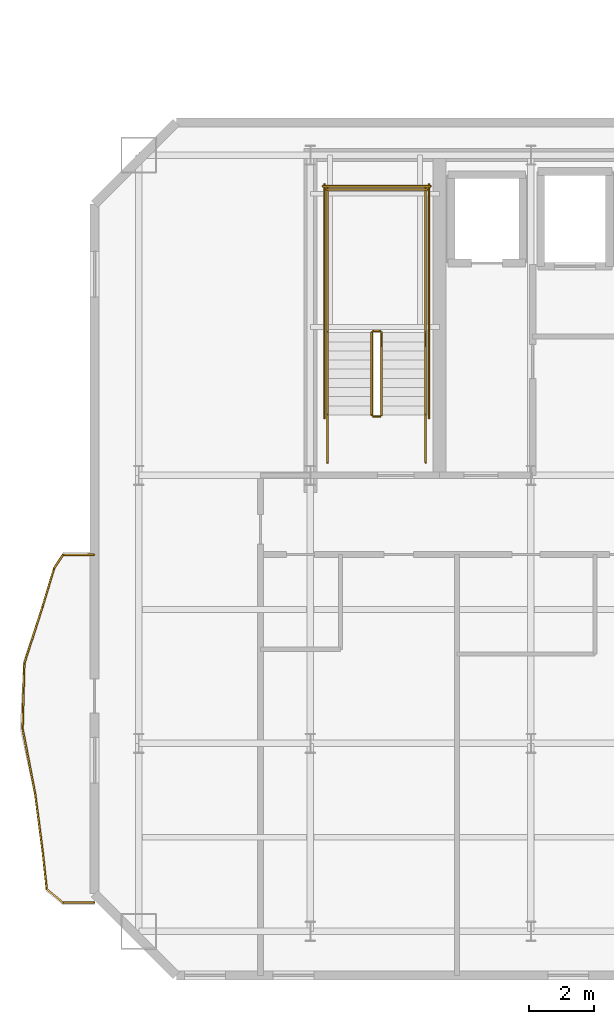
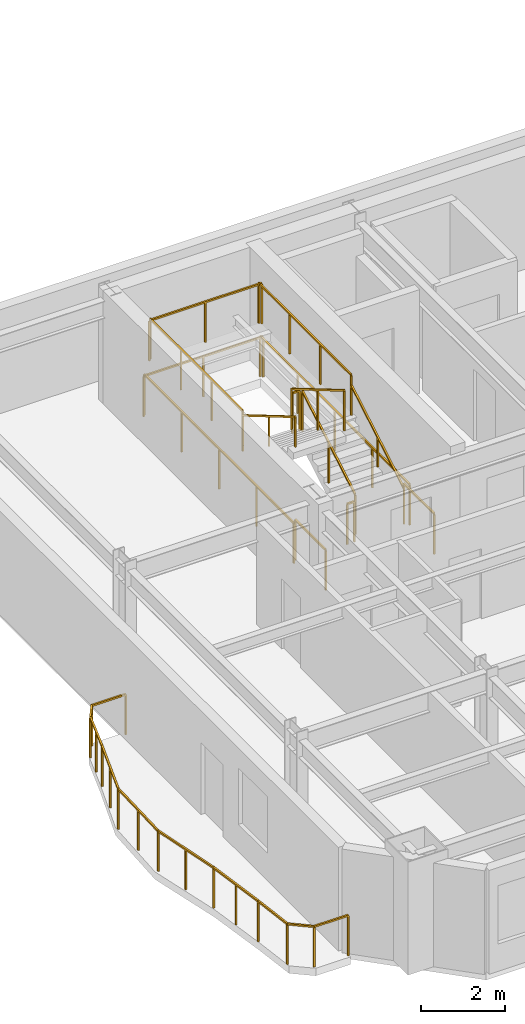
# One storey, part 10 of 13: 24 railings.
"""IFC4 building model written with IfcOpenShell, lengths in metres."""

from ifc_helpers import new_model, si_unit, direction, frame, origin, origin_2d, place, context, subcontext, project, spatial, rectangle, extrude, material, type_object, element, save


model = new_model("IFC4")

# Units and contexts
model_context = context("Model", 3, precision=1e-05, world=origin(), true_north=direction((0.0, 1.0)))
body_context = subcontext(model_context, "Body", "Model", "MODEL_VIEW")
ifc_project = project(units=[si_unit("LENGTHUNIT", "METRE"), si_unit("AREAUNIT", "SQUARE_METRE"), si_unit("VOLUMEUNIT", "CUBIC_METRE"), si_unit("PLANEANGLEUNIT", "RADIAN"), si_unit("MASSUNIT", "GRAM", prefix="KILO")], contexts=[model_context])

# Site, building, storey
site_placement = place(None, origin())
site = spatial("IfcSite", under=ifc_project, at=site_placement, CompositionType="ELEMENT")
building_placement = place(site_placement, origin())
building = spatial("IfcBuilding", under=site, at=building_placement, Name="Haevon Station Towers", CompositionType="ELEMENT")
storey_placement = place(building_placement, frame((0.0, 0.0, 222.0)))
storey = spatial("IfcBuildingStorey", under=building, at=storey_placement, Name="L61", CompositionType="ELEMENT", Elevation=222.0)

# Railings
ifc_material = material(Name="Steel S355", Category="steel")
railing_type_1 = type_object("IfcRailingType", Name="GRD-EXT1200", PredefinedType="GUARDRAIL", material=ifc_material)
railing_1_placement = place(storey_placement, frame((17.37646484375, 35.772216796875, 0.0)))
element("IfcRailing", 1, at=railing_1_placement, inside=storey, type_object=railing_type_1, Name="L61 Perimeter Guardrail 1", PredefinedType="GUARDRAIL", context=body_context, shape_type="SweptSolid", body=[
    extrude(rectangle(XDim=0.048095703125, YDim=0.048095703125, at=origin_2d()), frame((0.0, 0.0, 1.17578125), z_axis=(-0.999997857851, -0.002069853263, 0.0), x_axis=(0.002069853263, -0.999997857851, 0.0)), (0.0, 0.0, 1.0), 0.943603515625),
    extrude(rectangle(XDim=0.0419921875, YDim=0.0419921875, at=origin_2d()), origin(), (0.0, 0.0, 1.0), 1.15185546875),
    extrude(rectangle(XDim=0.0419921875, YDim=0.0419921875, at=origin_2d()), frame((-0.943603515625, -0.001953125, 0.0)), (0.0, 0.0, 1.0), 1.15185546875),
])
railing_2_placement = place(storey_placement, frame((16.432861328125, 35.770263671875, 0.0)))
element("IfcRailing", 2, at=railing_2_placement, inside=storey, type_object=railing_type_1, Name="L61 Perimeter Guardrail 2", PredefinedType="GUARDRAIL", context=body_context, shape_type="SweptSolid", body=[
    extrude(rectangle(XDim=0.048095703125, YDim=0.048095703125, at=origin_2d()), frame((0.0, 0.0, 1.17578125), z_axis=(-0.55080770447, -0.834632178086, 0.0), x_axis=(0.834632178086, -0.55080770447, 0.0)), (0.0, 0.0, 1.0), 0.492919921875),
    extrude(rectangle(XDim=0.0419921875, YDim=0.0419921875, at=origin_2d()), origin(), (0.0, 0.0, 1.0), 1.15185546875),
    extrude(rectangle(XDim=0.0419921875, YDim=0.0419921875, at=origin_2d()), frame((-0.271484375, -0.411376953125, 0.0)), (0.0, 0.0, 1.0), 1.15185546875),
])
railing_3_placement = place(storey_placement, frame((16.161376953125, 35.35888671875, 0.0)))
element("IfcRailing", 3, at=railing_3_placement, inside=storey, type_object=railing_type_1, Name="L61 Perimeter Guardrail 3", PredefinedType="GUARDRAIL", context=body_context, shape_type="SweptSolid", body=[
    extrude(rectangle(XDim=0.048095703125, YDim=0.048095703125, at=origin_2d()), frame((0.0, 0.0, 1.17578125), z_axis=(-0.289746900374, -0.95710330358, 0.0), x_axis=(0.95710330358, -0.289746900374, 0.0)), (0.0, 0.0, 1.0), 1.22265625),
    extrude(rectangle(XDim=0.0419921875, YDim=0.0419921875, at=origin_2d()), origin(), (0.0, 0.0, 1.0), 1.15185546875),
    extrude(rectangle(XDim=0.0419921875, YDim=0.0419921875, at=origin_2d()), frame((-0.17724609375, -0.5849609375, 0.0)), (0.0, 0.0, 1.0), 1.15185546875),
    extrude(rectangle(XDim=0.0419921875, YDim=0.0419921875, at=origin_2d()), frame((-0.354248046875, -1.170166015625, 0.0)), (0.0, 0.0, 1.0), 1.15185546875),
])
railing_4_placement = place(storey_placement, frame((15.80712890625, 34.188720703125, 0.0)))
element("IfcRailing", 4, at=railing_4_placement, inside=storey, type_object=railing_type_1, Name="L61 Perimeter Guardrail 4", PredefinedType="GUARDRAIL", context=body_context, shape_type="SweptSolid", body=[
    extrude(rectangle(XDim=0.048095703125, YDim=0.048095703125, at=origin_2d()), frame((0.0, 0.0, 1.17578125), z_axis=(-0.305017363439, -0.952346789778, 0.0), x_axis=(0.952346789778, -0.305017363439, 0.0)), (0.0, 0.0, 1.0), 1.8330078125),
    extrude(rectangle(XDim=0.0419921875, YDim=0.0419921875, at=origin_2d()), origin(), (0.0, 0.0, 1.0), 1.15185546875),
    extrude(rectangle(XDim=0.0419921875, YDim=0.0419921875, at=origin_2d()), frame((-0.279541015625, -0.872802734375, 0.0)), (0.0, 0.0, 1.0), 1.15185546875),
    extrude(rectangle(XDim=0.0419921875, YDim=0.0419921875, at=origin_2d()), frame((-0.55908203125, -1.74560546875, 0.0)), (0.0, 0.0, 1.0), 1.15185546875),
])
railing_5_placement = place(storey_placement, frame((15.248046875, 32.443115234375, 0.0)))
element("IfcRailing", 5, at=railing_5_placement, inside=storey, type_object=railing_type_1, Name="L61 Perimeter Guardrail 5", PredefinedType="GUARDRAIL", context=body_context, shape_type="SweptSolid", body=[
    extrude(rectangle(XDim=0.048095703125, YDim=0.048095703125, at=origin_2d()), frame((0.0, 0.0, 1.17578125), z_axis=(-0.026326002365, -0.999653410738, 0.0), x_axis=(0.999653410738, -0.026326002365, 0.0)), (0.0, 0.0, 1.0), 1.993896484375),
    extrude(rectangle(XDim=0.0419921875, YDim=0.0419921875, at=origin_2d()), origin(), (0.0, 0.0, 1.0), 1.15185546875),
    extrude(rectangle(XDim=0.0419921875, YDim=0.0419921875, at=origin_2d()), frame((-0.0263671875, -0.99658203125, 0.0)), (0.0, 0.0, 1.0), 1.15185546875),
    extrude(rectangle(XDim=0.0419921875, YDim=0.0419921875, at=origin_2d()), frame((-0.052490234375, -1.9931640625, 0.0)), (0.0, 0.0, 1.0), 1.15185546875),
])
railing_6_placement = place(storey_placement, frame((15.195556640625, 30.449951171875, 0.0)))
element("IfcRailing", 6, at=railing_6_placement, inside=storey, type_object=railing_type_1, Name="L61 Perimeter Guardrail 6", PredefinedType="GUARDRAIL", context=body_context, shape_type="SweptSolid", body=[
    extrude(rectangle(XDim=0.048095703125, YDim=0.048095703125, at=origin_2d()), frame((0.0, 0.0, 1.17578125), z_axis=(0.189669695752, -0.981847954886, 0.0), x_axis=(0.981847954886, 0.189669695752, 0.0)), (0.0, 0.0, 1.0), 2.026123046875),
    extrude(rectangle(XDim=0.0419921875, YDim=0.0419921875, at=origin_2d()), origin(), (0.0, 0.0, 1.0), 1.15185546875),
    extrude(rectangle(XDim=0.0419921875, YDim=0.0419921875, at=origin_2d()), frame((0.192138671875, -0.99462890625, 0.0)), (0.0, 0.0, 1.0), 1.15185546875),
    extrude(rectangle(XDim=0.0419921875, YDim=0.0419921875, at=origin_2d()), frame((0.38427734375, -1.9892578125, 0.0)), (0.0, 0.0, 1.0), 1.15185546875),
])
railing_7_placement = place(storey_placement, frame((15.579833984375, 28.460693359375, 0.0)))
element("IfcRailing", 7, at=railing_7_placement, inside=storey, type_object=railing_type_1, Name="L61 Perimeter Guardrail 7", PredefinedType="GUARDRAIL", context=body_context, shape_type="SweptSolid", body=[
    extrude(rectangle(XDim=0.048095703125, YDim=0.048095703125, at=origin_2d()), frame((0.0, 0.0, 1.17578125), z_axis=(0.128853983345, -0.991663577518, 0.0), x_axis=(0.991663577518, 0.128853983345, 0.0)), (0.0, 0.0, 1.0), 1.763916015625),
    extrude(rectangle(XDim=0.0419921875, YDim=0.0419921875, at=origin_2d()), origin(), (0.0, 0.0, 1.0), 1.15185546875),
    extrude(rectangle(XDim=0.0419921875, YDim=0.0419921875, at=origin_2d()), frame((0.11376953125, -0.87451171875, 0.0)), (0.0, 0.0, 1.0), 1.15185546875),
    extrude(rectangle(XDim=0.0419921875, YDim=0.0419921875, at=origin_2d()), frame((0.227294921875, -1.749267578125, 0.0)), (0.0, 0.0, 1.0), 1.15185546875),
])
railing_8_placement = place(storey_placement, frame((15.80712890625, 26.71142578125, 0.0)))
element("IfcRailing", 8, at=railing_8_placement, inside=storey, type_object=railing_type_1, Name="L61 Perimeter Guardrail 8", PredefinedType="GUARDRAIL", context=body_context, shape_type="SweptSolid", body=[
    extrude(rectangle(XDim=0.048095703125, YDim=0.048095703125, at=origin_2d()), frame((0.0, 0.0, 1.17578125), z_axis=(0.108246304378, -0.994124105727, 0.0), x_axis=(0.994124105727, 0.108246304378, 0.0)), (0.0, 0.0, 1.0), 1.17724609375),
    extrude(rectangle(XDim=0.0419921875, YDim=0.0419921875, at=origin_2d()), origin(), (0.0, 0.0, 1.0), 1.15185546875),
    extrude(rectangle(XDim=0.0419921875, YDim=0.0419921875, at=origin_2d()), frame((0.12744140625, -1.17041015625, 0.0)), (0.0, 0.0, 1.0), 1.15185546875),
])
railing_9_placement = place(storey_placement, frame((15.9345703125, 25.541015625, 0.0)))
element("IfcRailing", 9, at=railing_9_placement, inside=storey, type_object=railing_type_1, Name="L61 Perimeter Guardrail 9", PredefinedType="GUARDRAIL", context=body_context, shape_type="SweptSolid", body=[
    extrude(rectangle(XDim=0.048095703125, YDim=0.048095703125, at=origin_2d()), frame((0.0, 0.0, 1.17578125), z_axis=(0.771340811858, -0.636422306305, 0.0), x_axis=(0.636422306305, 0.771340811858, 0.0)), (0.0, 0.0, 1.0), 0.64599609375),
    extrude(rectangle(XDim=0.0419921875, YDim=0.0419921875, at=origin_2d()), origin(), (0.0, 0.0, 1.0), 1.15185546875),
    extrude(rectangle(XDim=0.0419921875, YDim=0.0419921875, at=origin_2d()), frame((0.498291015625, -0.4111328125, 0.0)), (0.0, 0.0, 1.0), 1.15185546875),
])
railing_10_placement = place(storey_placement, frame((16.432861328125, 25.1298828125, 0.0)))
element("IfcRailing", 10, at=railing_10_placement, inside=storey, type_object=railing_type_1, Name="L61 Perimeter Guardrail 10", PredefinedType="GUARDRAIL", context=body_context, shape_type="SweptSolid", body=[
    extrude(rectangle(XDim=0.048095703125, YDim=0.048095703125, at=origin_2d()), frame((0.0, 0.0, 1.17578125), z_axis=(0.999997857851, -0.002069853263, 0.0), x_axis=(0.002069853263, 0.999997857851, 0.0)), (0.0, 0.0, 1.0), 0.943603515625),
    extrude(rectangle(XDim=0.0419921875, YDim=0.0419921875, at=origin_2d()), origin(), (0.0, 0.0, 1.0), 1.15185546875),
    extrude(rectangle(XDim=0.0419921875, YDim=0.0419921875, at=origin_2d()), frame((0.943603515625, -0.001953125, 0.0)), (0.0, 0.0, 1.0), 1.15185546875),
])
railing_type_2 = type_object("IfcRailingType", Name="GRD-STR1200", PredefinedType="GUARDRAIL", material=ifc_material)
railing_11_placement = place(storey_placement, frame((26.179931640625, 40.050048828125, 0.1650390625)))
element("IfcRailing", 11, at=railing_11_placement, inside=storey, type_object=railing_type_2, Name="L61 ST1 Stair Guard 1", PredefinedType="GUARDRAIL", context=body_context, shape_type="SweptSolid", body=[
    extrude(rectangle(XDim=0.048095703125, YDim=0.048095703125, at=origin_2d()), frame((0.0, 0.0, 1.17578125), z_axis=(0.0, 0.861560626758, 0.507654692109), x_axis=(-1.0, 0.0, 0.0)), (0.0, 0.0, 1.0), 2.925048828125),
    extrude(rectangle(XDim=0.0419921875, YDim=0.0419921875, at=origin_2d()), origin(), (0.0, 0.0, 1.0), 1.15185546875),
    extrude(rectangle(XDim=0.0419921875, YDim=0.0419921875, at=origin_2d()), frame((0.0, 1.260009765625, 0.742431640625)), (0.0, 0.0, 1.0), 1.15185546875),
    extrude(rectangle(XDim=0.0419921875, YDim=0.0419921875, at=origin_2d()), frame((0.0, 2.52001953125, 1.48486328125)), (0.0, 0.0, 1.0), 1.15185546875),
])
railing_12_placement = place(storey_placement, frame((26.1298828125, 42.6201171875, 1.64990234375)))
element("IfcRailing", 12, at=railing_12_placement, inside=storey, type_object=railing_type_2, Name="L61 ST1 Stair Guard 2", PredefinedType="GUARDRAIL", context=body_context, shape_type="SweptSolid", body=[
    extrude(rectangle(XDim=0.048095703125, YDim=0.048095703125, at=origin_2d()), frame((0.0, 0.0, 1.17578125), z_axis=(-1.0, 0.0, 0.0), x_axis=(0.0, -1.0, 0.0)), (0.0, 0.0, 1.0), 0.199951171875),
    extrude(rectangle(XDim=0.0419921875, YDim=0.0419921875, at=origin_2d()), origin(), (0.0, 0.0, 1.0), 1.15185546875),
    extrude(rectangle(XDim=0.0419921875, YDim=0.0419921875, at=origin_2d()), frame((-0.199951171875, 0.0, 0.0)), (0.0, 0.0, 1.0), 1.15185546875),
])
for number, where, name in (
    (13, (27.530029296875, 42.570068359375, 1.64990234375), "L61 ST1 Stair Guard 3"),
    (14, (24.530029296875, 42.570068359375, 1.64990234375), "L61 ST1 Stair Guard 4"),
):
    element("IfcRailing", number, at=place(storey_placement, frame(where)), inside=storey, type_object=railing_type_2, Name=name, PredefinedType="GUARDRAIL", context=body_context, shape_type="SweptSolid", body=[
        extrude(rectangle(XDim=0.048095703125, YDim=0.048095703125, at=origin_2d()), frame((0.0, 0.0, 1.17578125), z_axis=(0.0, 1.0, 0.0), x_axis=(-1.0, 0.0, 0.0)), (0.0, 0.0, 1.0), 4.429931640625),
        extrude(rectangle(XDim=0.0419921875, YDim=0.0419921875, at=origin_2d()), origin(), (0.0, 0.0, 1.0), 1.15185546875),
        extrude(rectangle(XDim=0.0419921875, YDim=0.0419921875, at=origin_2d()), frame((0.0, 1.4765625, 0.0)), (0.0, 0.0, 1.0), 1.15185546875),
        extrude(rectangle(XDim=0.0419921875, YDim=0.0419921875, at=origin_2d()), frame((0.0, 2.953369140625, 0.0)), (0.0, 0.0, 1.0), 1.15185546875),
        extrude(rectangle(XDim=0.0419921875, YDim=0.0419921875, at=origin_2d()), frame((0.0, 4.429931640625, 0.0)), (0.0, 0.0, 1.0), 1.15185546875),
    ])
railing_13_placement = place(storey_placement, frame((27.580078125, 46.949951171875, 1.64990234375)))
element("IfcRailing", 15, at=railing_13_placement, inside=storey, type_object=railing_type_2, Name="L61 ST1 Stair Guard 5", PredefinedType="GUARDRAIL", context=body_context, shape_type="SweptSolid", body=[
    extrude(rectangle(XDim=0.048095703125, YDim=0.048095703125, at=origin_2d()), frame((0.0, 0.0, 1.17578125), z_axis=(-1.0, 0.0, 0.0), x_axis=(0.0, -1.0, 0.0)), (0.0, 0.0, 1.0), 3.10009765625),
    extrude(rectangle(XDim=0.0419921875, YDim=0.0419921875, at=origin_2d()), origin(), (0.0, 0.0, 1.0), 1.15185546875),
    extrude(rectangle(XDim=0.0419921875, YDim=0.0419921875, at=origin_2d()), frame((-1.550048828125, 0.0, 0.0)), (0.0, 0.0, 1.0), 1.15185546875),
    extrude(rectangle(XDim=0.0419921875, YDim=0.0419921875, at=origin_2d()), frame((-3.10009765625, 0.0, 0.0)), (0.0, 0.0, 1.0), 1.15185546875),
])
railing_14_placement = place(storey_placement, frame((25.8798828125, 42.570068359375, 1.81494140625)))
element("IfcRailing", 16, at=railing_14_placement, inside=storey, type_object=railing_type_2, Name="L61 ST1 Stair Guard 6", PredefinedType="GUARDRAIL", context=body_context, shape_type="SweptSolid", body=[
    extrude(rectangle(XDim=0.048095703125, YDim=0.048095703125, at=origin_2d()), frame((0.0, 0.0, 1.17578125), z_axis=(0.0, -0.86152411907, 0.507716645641), x_axis=(1.0, 0.0, 0.0)), (0.0, 0.0, 1.0), 2.925048828125),
    extrude(rectangle(XDim=0.0419921875, YDim=0.0419921875, at=origin_2d()), origin(), (0.0, 0.0, 1.0), 1.15185546875),
    extrude(rectangle(XDim=0.0419921875, YDim=0.0419921875, at=origin_2d()), frame((0.0, -1.260009765625, 0.74267578125)), (0.0, 0.0, 1.0), 1.15185546875),
    extrude(rectangle(XDim=0.0419921875, YDim=0.0419921875, at=origin_2d()), frame((0.0, -2.52001953125, 1.485107421875)), (0.0, 0.0, 1.0), 1.15185546875),
])
railing_15_placement = place(storey_placement, frame((26.1298828125, 40.0, 0.0)))
element("IfcRailing", 17, at=railing_15_placement, inside=storey, type_object=railing_type_2, Name="L61 ST1 Stair Guard 7", PredefinedType="GUARDRAIL", context=body_context, shape_type="SweptSolid", body=[
    extrude(rectangle(XDim=0.048095703125, YDim=0.048095703125, at=origin_2d()), frame((0.0, 0.0, 1.17578125), z_axis=(-1.0, 0.0, 0.0), x_axis=(0.0, -1.0, 0.0)), (0.0, 0.0, 1.0), 0.199951171875),
    extrude(rectangle(XDim=0.0419921875, YDim=0.0419921875, at=origin_2d()), origin(), (0.0, 0.0, 1.0), 1.15185546875),
    extrude(rectangle(XDim=0.0419921875, YDim=0.0419921875, at=origin_2d()), frame((-0.199951171875, 0.0, 0.0)), (0.0, 0.0, 1.0), 1.15185546875),
])
for number, where, name in (
    (18, (27.530029296875, 38.60009765625, 0.0), "L61 ST1 Stair Guard 8"),
    (19, (24.530029296875, 38.60009765625, 0.0), "L61 ST1 Stair Guard 9"),
):
    element("IfcRailing", number, at=place(storey_placement, frame(where)), inside=storey, type_object=railing_type_2, Name=name, PredefinedType="GUARDRAIL", context=body_context, shape_type="SweptSolid", body=[
        extrude(rectangle(XDim=0.048095703125, YDim=0.048095703125, at=origin_2d()), frame((0.0, 0.0, 1.17578125), z_axis=(0.0, 1.0, 0.0), x_axis=(-1.0, 0.0, 0.0)), (0.0, 0.0, 1.0), 1.449951171875),
        extrude(rectangle(XDim=0.0419921875, YDim=0.0419921875, at=origin_2d()), origin(), (0.0, 0.0, 1.0), 1.15185546875),
        extrude(rectangle(XDim=0.0419921875, YDim=0.0419921875, at=origin_2d()), frame((0.0, 1.449951171875, 0.0)), (0.0, 0.0, 1.0), 1.15185546875),
    ])
for number, where, name in (
    (20, (27.6298828125, 39.949951171875, 0.0), "L61 ST1 Stair Guard 10"),
    (21, (24.429931640625, 39.949951171875, 0.0), "L61 ST1 Stair Guard 11"),
):
    element("IfcRailing", number, at=place(storey_placement, frame(where)), inside=storey, type_object=railing_type_2, Name=name, PredefinedType="GUARDRAIL", context=body_context, shape_type="SweptSolid", body=[
        extrude(rectangle(XDim=0.048095703125, YDim=0.048095703125, at=origin_2d()), frame((0.0, 0.0, 1.17578125), z_axis=(0.0, 1.0, 0.0), x_axis=(-1.0, 0.0, 0.0)), (0.0, 0.0, 1.0), 7.150146484375),
        extrude(rectangle(XDim=0.0419921875, YDim=0.0419921875, at=origin_2d()), origin(), (0.0, 0.0, 1.0), 1.15185546875),
        extrude(rectangle(XDim=0.0419921875, YDim=0.0419921875, at=origin_2d()), frame((0.0, 1.78759765625, 0.0)), (0.0, 0.0, 1.0), 1.15185546875),
        extrude(rectangle(XDim=0.0419921875, YDim=0.0419921875, at=origin_2d()), frame((0.0, 3.5751953125, 0.0)), (0.0, 0.0, 1.0), 1.15185546875),
        extrude(rectangle(XDim=0.0419921875, YDim=0.0419921875, at=origin_2d()), frame((0.0, 5.362548828125, 0.0)), (0.0, 0.0, 1.0), 1.15185546875),
        extrude(rectangle(XDim=0.0419921875, YDim=0.0419921875, at=origin_2d()), frame((0.0, 7.150146484375, 0.0)), (0.0, 0.0, 1.0), 1.15185546875),
    ])
railing_16_placement = place(storey_placement, frame((27.679931640625, 47.050048828125, 0.0)))
element("IfcRailing", 22, at=railing_16_placement, inside=storey, type_object=railing_type_2, Name="L61 ST1 Stair Guard 12", PredefinedType="GUARDRAIL", context=body_context, shape_type="SweptSolid", body=[
    extrude(rectangle(XDim=0.048095703125, YDim=0.048095703125, at=origin_2d()), frame((0.0, 0.0, 1.17578125), z_axis=(-1.0, 0.0, 0.0), x_axis=(0.0, -1.0, 0.0)), (0.0, 0.0, 1.0), 3.300048828125),
    extrude(rectangle(XDim=0.0419921875, YDim=0.0419921875, at=origin_2d()), origin(), (0.0, 0.0, 1.0), 1.15185546875),
    extrude(rectangle(XDim=0.0419921875, YDim=0.0419921875, at=origin_2d()), frame((-1.64990234375, 0.0, 0.0)), (0.0, 0.0, 1.0), 1.15185546875),
    extrude(rectangle(XDim=0.0419921875, YDim=0.0419921875, at=origin_2d()), frame((-3.300048828125, 0.0, 0.0)), (0.0, 0.0, 1.0), 1.15185546875),
])
railing_type_3 = type_object("IfcRailingType", Name="HND-STR900", PredefinedType="HANDRAIL", material=ifc_material)
railing_17_placement = place(storey_placement, frame((27.530029296875, 40.050048828125, 0.1650390625)))
element("IfcRailing", 23, at=railing_17_placement, inside=storey, type_object=railing_type_3, Name="L61 ST1 Stair Handrail 1", PredefinedType="HANDRAIL", context=body_context, shape_type="SweptSolid", body=[
    extrude(rectangle(XDim=0.048095703125, YDim=0.048095703125, at=origin_2d()), frame((0.0, 0.0, 0.8759765625), z_axis=(0.0, 0.861560626758, 0.507654692109), x_axis=(-1.0, 0.0, 0.0)), (0.0, 0.0, 1.0), 2.925048828125),
    extrude(rectangle(XDim=0.0419921875, YDim=0.0419921875, at=origin_2d()), origin(), (0.0, 0.0, 1.0), 0.851806640625),
    extrude(rectangle(XDim=0.0419921875, YDim=0.0419921875, at=origin_2d()), frame((0.0, 1.260009765625, 0.742431640625)), (0.0, 0.0, 1.0), 0.851806640625),
    extrude(rectangle(XDim=0.0419921875, YDim=0.0419921875, at=origin_2d()), frame((0.0, 2.52001953125, 1.48486328125)), (0.0, 0.0, 1.0), 0.851806640625),
])
railing_18_placement = place(storey_placement, frame((24.530029296875, 42.570068359375, 1.81494140625)))
element("IfcRailing", 24, at=railing_18_placement, inside=storey, type_object=railing_type_3, Name="L61 ST1 Stair Handrail 2", PredefinedType="HANDRAIL", context=body_context, shape_type="SweptSolid", body=[
    extrude(rectangle(XDim=0.048095703125, YDim=0.048095703125, at=origin_2d()), frame((0.0, 0.0, 0.8759765625), z_axis=(0.0, -0.86152411907, 0.507716645641), x_axis=(1.0, 0.0, 0.0)), (0.0, 0.0, 1.0), 2.925048828125),
    extrude(rectangle(XDim=0.0419921875, YDim=0.0419921875, at=origin_2d()), origin(), (0.0, 0.0, 1.0), 0.851806640625),
    extrude(rectangle(XDim=0.0419921875, YDim=0.0419921875, at=origin_2d()), frame((0.0, -1.260009765625, 0.74267578125)), (0.0, 0.0, 1.0), 0.851806640625),
    extrude(rectangle(XDim=0.0419921875, YDim=0.0419921875, at=origin_2d()), frame((0.0, -2.52001953125, 1.485107421875)), (0.0, 0.0, 1.0), 0.851806640625),
])

save(model, "model.ifc")
